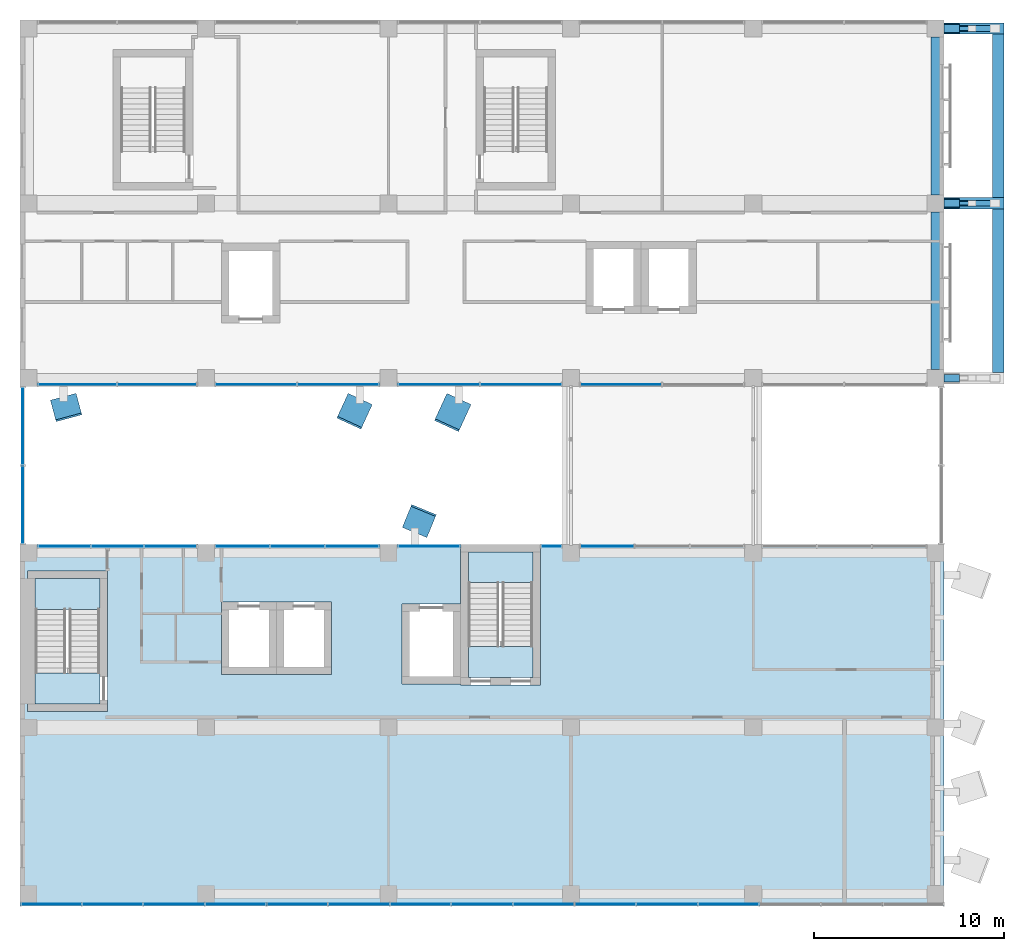
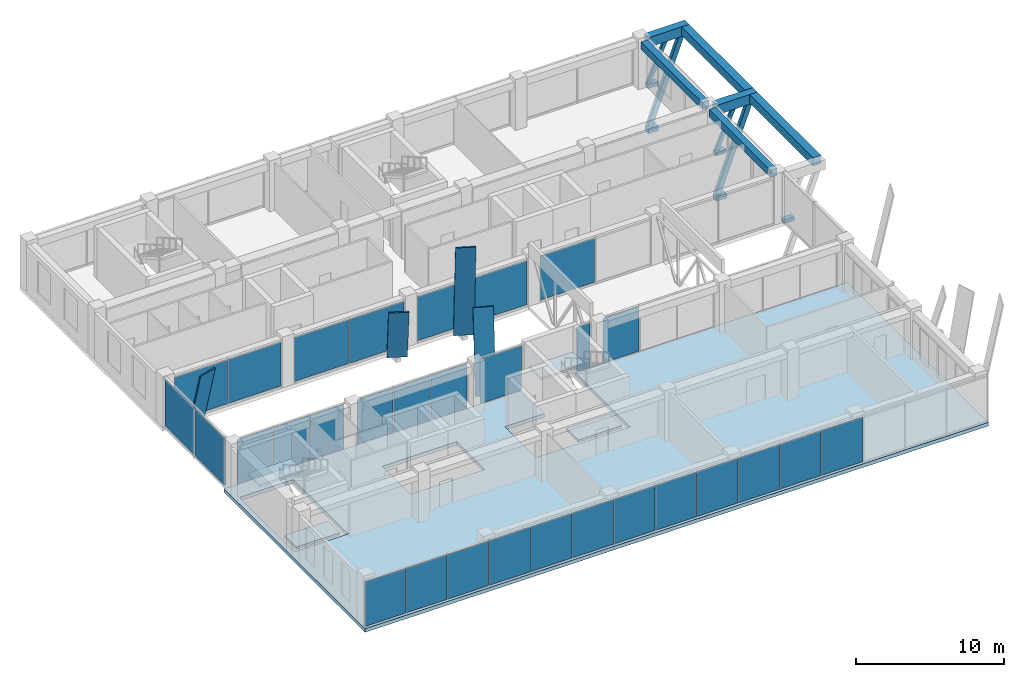
# One storey, part 26 of 38: 34 plates, 11 beams, 5 slabs, 4 members, 13 elements without a shape of their own.
"""IFC4 building model written with IfcOpenShell, lengths in metres."""

from ifc_helpers import new_model, si_unit, direction, frame, origin, origin_2d, place, context, subcontext, project, spatial, polyline, rectangle, hollow_rectangle, outline, extrude, material, layer, layer_set, material_profile, profile_set, type_object, element, aggregate, save


model = new_model("IFC4")

# Units and contexts
model_context = context("Model", 3, precision=1e-05, world=origin(), true_north=direction((0.0, 1.0)))
body_context = subcontext(model_context, "Body", "Model", "MODEL_VIEW")
ifc_project = project(units=[si_unit("LENGTHUNIT", "METRE"), si_unit("AREAUNIT", "SQUARE_METRE"), si_unit("VOLUMEUNIT", "CUBIC_METRE"), si_unit("PLANEANGLEUNIT", "RADIAN"), si_unit("MASSUNIT", "GRAM", prefix="KILO")], contexts=[model_context])

# Site, building, storey
site_placement = place(None, origin())
site = spatial("IfcSite", under=ifc_project, at=site_placement, CompositionType="ELEMENT")
building_placement = place(site_placement, origin())
building = spatial("IfcBuilding", under=site, at=building_placement, Name="Nzadi Deep Aquarium and Research Tower", CompositionType="ELEMENT")
storey_placement = place(building_placement, frame((0.0, 0.0, 48.699951171875)))
storey = spatial("IfcBuildingStorey", under=building, at=storey_placement, Name="L09", CompositionType="ELEMENT", Elevation=48.699951171875)

# Members
ifc_material_1 = material(Name="Steel S355", Category="steel")
ifc_material_profile_1 = material_profile(ifc_material_1, hollow_rectangle(XDim=0.199951171875, YDim=0.300048828125, WallThickness=0.011962890625, at=origin_2d()))
ifc_profile_set_1 = profile_set([ifc_material_profile_1], Name="Steel S355")
member_type_1 = type_object("IfcMemberType", Name="Arm knee strut RHS 300x200x12", PredefinedType="BRACE", material=ifc_profile_set_1)
for number, where, z_axis, x_axis, name in (
    (1, (48.587646484375, 36.800048828125, 0.0), (0.396258073649, 0.0, 0.918139171949), (0.0, 1.0, 0.0), "MB-Z1-BE-B2"),
    (2, (48.587646484375, 46.0, 0.0), (0.396258073649, 0.0, 0.918139171949), (0.0, 1.0, 0.0), "MB-Z1-BE-B3"),
):
    element("IfcMember", number, at=place(storey_placement, frame(where, z_axis=z_axis, x_axis=x_axis)), inside=storey, type_object=member_type_1, Name=name, PredefinedType="BRACE", context=body_context, shape_type="SweptSolid", body=[
        extrude(hollow_rectangle(XDim=0.199951171875, YDim=0.300048828125, WallThickness=0.011962890625, at=origin_2d()), origin(), (0.0, 0.0, 1.0), 3.3115234375),
    ])
ifc_material_2 = material(Name="Steel S355", Category="steel")
ifc_material_profile_2 = material_profile(ifc_material_2, hollow_rectangle(XDim=0.300048828125, YDim=0.39990234375, WallThickness=0.01611328125, at=origin_2d()))
ifc_profile_set_2 = profile_set([ifc_material_profile_2], Name="Steel S355")
member_type_2 = type_object("IfcMemberType", Name="Arm strut RHS 400x300x16", PredefinedType="BRACE", material=ifc_profile_set_2)
for number, where, z_axis, x_axis, name in (
    (3, (48.637451171875, 36.800048828125, -3.599853515625), (0.34817872971, 0.0, 0.937428169076), (0.0, 1.0, 0.0), "MB-Z1-BE-A2"),
    (4, (48.637451171875, 46.0, -3.599853515625), (0.34817872971, 0.0, 0.937428169076), (0.0, 1.0, 0.0), "MB-Z1-BE-A3"),
):
    element("IfcMember", number, at=place(storey_placement, frame(where, z_axis=z_axis, x_axis=x_axis)), inside=storey, type_object=member_type_2, Name=name, PredefinedType="BRACE", context=body_context, shape_type="SweptSolid", body=[
        extrude(hollow_rectangle(XDim=0.300048828125, YDim=0.39990234375, WallThickness=0.01611328125, at=origin_2d()), origin(), (0.0, 0.0, 1.0), 7.072998046875),
    ])

# Beams
ifc_material_3 = material(Name="Concrete C35/45", Category="concrete")
ifc_material_profile_3 = material_profile(ifc_material_3, rectangle(XDim=0.39990234375, YDim=0.300048828125, at=origin_2d()))
ifc_profile_set_3 = profile_set([ifc_material_profile_3], Name="Concrete C35/45")
beam_type_1 = type_object("IfcBeamType", Name="RC 400x300", PredefinedType="BEAM", material=ifc_profile_set_3)
for number, where, z_axis, x_axis, name in (
    (5, (48.449951171875, 27.60009765625, -0.20947265625), (1.0, 0.0, 0.0), (0.0, 1.0, 0.0), "Strut seat corbel"),
    (6, (48.449951171875, 36.800048828125, -0.20947265625), (1.0, 0.0, 0.0), (0.0, 1.0, 0.0), "Strut seat corbel"),
    (7, (48.449951171875, 46.0, -0.20947265625), (1.0, 0.0, 0.0), (0.0, 1.0, 0.0), "Strut seat corbel"),
):
    element("IfcBeam", number, at=place(storey_placement, frame(where, z_axis=z_axis, x_axis=x_axis)), inside=storey, type_object=beam_type_1, Name=name, PredefinedType="BEAM", context=body_context, shape_type="SweptSolid", body=[
        extrude(rectangle(XDim=0.39990234375, YDim=0.300048828125, at=origin_2d()), origin(), (0.0, 0.0, 1.0), 0.800048828125),
    ])
ifc_material_4 = material(Name="Concrete C35/45", Category="concrete")
ifc_material_profile_4 = material_profile(ifc_material_4, rectangle(XDim=0.5, YDim=0.39990234375, at=origin_2d()))
ifc_profile_set_4 = profile_set([ifc_material_profile_4], Name="Concrete C35/45")
beam_type_2 = type_object("IfcBeamType", Name="RC 500x400", PredefinedType="BEAM", material=ifc_profile_set_4)
for number, where, z_axis, x_axis, name in (
    (8, (48.449951171875, 36.800048828125, -3.86962890625), (1.0, 0.0, 0.0), (0.0, 1.0, 0.0), "Strut seat corbel"),
    (9, (48.449951171875, 46.0, -3.86962890625), (1.0, 0.0, 0.0), (0.0, 1.0, 0.0), "Strut seat corbel"),
):
    element("IfcBeam", number, at=place(storey_placement, frame(where, z_axis=z_axis, x_axis=x_axis)), inside=storey, type_object=beam_type_2, Name=name, PredefinedType="BEAM", context=body_context, shape_type="SweptSolid", body=[
        extrude(rectangle(XDim=0.5, YDim=0.39990234375, at=origin_2d()), origin(), (0.0, 0.0, 1.0), 0.800048828125),
    ])
ifc_material_5 = material(Name="Concrete C35/45", Category="concrete")
ifc_material_profile_5 = material_profile(ifc_material_5, rectangle(XDim=0.5, YDim=0.60009765625, at=origin_2d()))
ifc_profile_set_5 = profile_set([ifc_material_profile_5], Name="Concrete C35/45")
beam_type_3 = type_object("IfcBeamType", Name="RC 500x600", PredefinedType="BEAM", material=ifc_profile_set_5)
for number, where, z_axis, x_axis, name in (
    (10, (48.0, 28.050048828125, 3.60009765625), (0.0, 1.0, 0.0), (-1.0, 0.0, 0.0), "B-Z1-L09-CF-1-4"),
    (11, (48.0, 37.25, 3.60009765625), (0.0, 1.0, 0.0), (-1.0, 0.0, 0.0), "B-Z1-L09-CF-2-4"),
):
    element("IfcBeam", number, at=place(storey_placement, frame(where, z_axis=z_axis, x_axis=x_axis)), inside=storey, type_object=beam_type_3, Name=name, PredefinedType="BEAM", context=body_context, shape_type="SweptSolid", body=[
        extrude(rectangle(XDim=0.5, YDim=0.60009765625, at=origin_2d()), origin(), (0.0, 0.0, 1.0), 8.300048828125),
    ])
ifc_material_6 = material(Name="Concrete C35/45", Category="concrete")
ifc_material_profile_6 = material_profile(ifc_material_6, rectangle(XDim=0.60009765625, YDim=0.699951171875, at=origin_2d()))
ifc_profile_set_6 = profile_set([ifc_material_profile_6], Name="Concrete C35/45")
beam_type_4 = type_object("IfcBeamType", Name="RC 600x700", PredefinedType="BEAM", material=ifc_profile_set_6)
beam_1_placement = place(storey_placement, frame((51.300048828125, 27.89990234375, 3.550048828125), z_axis=(0.0, 1.0, 0.0), x_axis=(-1.0, 0.0, 0.0)))
element("IfcBeam", 12, at=beam_1_placement, inside=storey, type_object=beam_type_4, Name="B-Z1-L09-TIP1", PredefinedType="BEAM", context=body_context, shape_type="SweptSolid", body=[
    extrude(rectangle(XDim=0.60009765625, YDim=0.699951171875, at=origin_2d()), origin(), (0.0, 0.0, 1.0), 8.60009765625),
])
beam_2_placement = place(storey_placement, frame((51.300048828125, 37.10009765625, 3.550048828125), z_axis=(0.0, 1.0, 0.0), x_axis=(-1.0, 0.0, 0.0)))
element("IfcBeam", 13, at=beam_2_placement, inside=storey, type_object=beam_type_4, Name="B-Z1-L09-TIP2", PredefinedType="BEAM", context=body_context, shape_type="SweptSolid", body=[
    extrude(rectangle(XDim=0.60009765625, YDim=0.699951171875, at=origin_2d()), origin(), (0.0, 0.0, 1.0), 8.599853515625),
])
ifc_material_7 = material(Name="Concrete C35/45", Category="concrete")
ifc_material_profile_7 = material_profile(ifc_material_7, rectangle(XDim=0.60009765625, YDim=0.800048828125, at=origin_2d()))
ifc_profile_set_7 = profile_set([ifc_material_profile_7], Name="Concrete C35/45")
beam_type_5 = type_object("IfcBeamType", Name="RC 600x800", PredefinedType="BEAM", material=ifc_profile_set_7)
for number, where, z_axis, x_axis, name in (
    (14, (48.449951171875, 36.800048828125, 3.5), (1.0, 0.0, 0.0), (0.0, 1.0, 0.0), "B-Z1-L09-CANT5"),
    (15, (48.449951171875, 46.0, 3.5), (1.0, 0.0, 0.0), (0.0, 1.0, 0.0), "B-Z1-L09-CANT6"),
):
    element("IfcBeam", number, at=place(storey_placement, frame(where, z_axis=z_axis, x_axis=x_axis)), inside=storey, type_object=beam_type_5, Name=name, PredefinedType="BEAM", context=body_context, shape_type="SweptSolid", body=[
        extrude(rectangle(XDim=0.60009765625, YDim=0.800048828125, at=origin_2d()), origin(), (0.0, 0.0, 1.0), 3.150146484375),
    ])

# Plates
ifc_material_8 = material(Name="Anodised aluminium, bright", Category="aluminium")
ifc_material_profile_8 = material_profile(ifc_material_8, rectangle(XDim=1.39990234375, YDim=0.10009765625, at=origin_2d()))
ifc_profile_set_8 = profile_set([ifc_material_profile_8], Name="Anodised aluminium, bright")
plate_type_1 = type_object("IfcPlateType", Name="Fold blade anodised aluminium 1400x100, 4.8 m", PredefinedType="SHEET", material=ifc_profile_set_8)
plate_1_placement = place(storey_placement, frame((2.090087890625, 26.56884765625, 0.01123046875), z_axis=(0.057781447578, -0.215663149409, 0.974756744169), x_axis=(0.965931782, 0.258796817064, 0.0)))
element("IfcPlate", 16, at=plate_1_placement, inside=storey, type_object=plate_type_1, Name="FD040 fold blade SB L09", PredefinedType="SHEET", context=body_context, shape_type="SweptSolid", body=[
    extrude(rectangle(XDim=1.39990234375, YDim=0.10009765625, at=origin_2d()), origin(), (0.0, 0.0, 1.0), 4.7998046875),
])
plate_2_placement = place(storey_placement, frame((17.68994140625, 26.45751953125, 0.013916015625), z_axis=(-0.11586409201, -0.251920477492, 0.960786961403), x_axis=(0.908516914331, -0.417848078103, 0.0)))
element("IfcPlate", 17, at=plate_2_placement, inside=storey, type_object=plate_type_1, Name="FD041 fold blade SB L09", PredefinedType="SHEET", context=body_context, shape_type="SweptSolid", body=[
    extrude(rectangle(XDim=1.39990234375, YDim=0.10009765625, at=origin_2d()), origin(), (0.0, 0.0, 1.0), 4.800048828125),
])
ifc_material_9 = material(Name="Anodised aluminium, bright", Category="aluminium")
ifc_material_profile_9 = material_profile(ifc_material_9, rectangle(XDim=1.39990234375, YDim=0.10009765625, at=origin_2d()))
ifc_profile_set_9 = profile_set([ifc_material_profile_9], Name="Anodised aluminium, bright")
plate_type_2 = type_object("IfcPlateType", Name="Fold blade anodised aluminium 1400x100, 6.6 m", PredefinedType="SHEET", material=ifc_profile_set_9)
plate_3_placement = place(storey_placement, frame((20.590087890625, 19.5166015625, 0.009033203125), z_axis=(0.069431434965, 0.168529364785, 0.983248254025), x_axis=(-0.924606631977, 0.380923320505, 0.0)))
element("IfcPlate", 18, at=plate_3_placement, inside=storey, type_object=plate_type_2, Name="FD039 fold blade SA L09", PredefinedType="SHEET", context=body_context, shape_type="SweptSolid", body=[
    extrude(rectangle(XDim=1.39990234375, YDim=0.10009765625, at=origin_2d()), origin(), (0.0, 0.0, 1.0), 6.60009765625),
])
ifc_material_10 = material(Name="Anodised aluminium, bright", Category="aluminium")
ifc_material_profile_10 = material_profile(ifc_material_10, rectangle(XDim=1.39990234375, YDim=0.10009765625, at=origin_2d()))
ifc_profile_set_10 = profile_set([ifc_material_profile_10], Name="Anodised aluminium, bright")
plate_type_3 = type_object("IfcPlateType", Name="Fold blade anodised aluminium 1400x100, 8.4 m", PredefinedType="SHEET", material=ifc_profile_set_10)
plate_4_placement = place(storey_placement, frame((22.889892578125, 26.45751953125, 0.0087890625), z_axis=(-0.073271637684, -0.15933166116, 0.984502254372), x_axis=(0.90853575108, -0.417807119386, 0.0)))
element("IfcPlate", 19, at=plate_4_placement, inside=storey, type_object=plate_type_3, Name="FD042 fold blade SB L09", PredefinedType="SHEET", context=body_context, shape_type="SweptSolid", body=[
    extrude(rectangle(XDim=1.39990234375, YDim=0.10009765625, at=origin_2d()), origin(), (0.0, 0.0, 1.0), 8.39990234375),
])

# Curtain wall, plates
ifc_material_11 = material(Name="Aluminium unitised frame", Category="aluminium")
ifc_layer_1 = layer(ifc_material_11, 0.199951171875)
ifc_layer_set_1 = layer_set([ifc_layer_1], Name="Aluminium unitised frame")
curtain_wall_type_1 = type_object("IfcCurtainWallType", Name="Curtain wall Unitised 200", PredefinedType="NOTDEFINED", material=ifc_layer_set_1)
curtain_wall_1_placement = place(storey_placement, origin())
curtain_wall_1 = element("IfcCurtainWall", 20, at=curtain_wall_1_placement, inside=storey, type_object=curtain_wall_type_1, Name="Unitised curtain wall blade A south L09", PredefinedType="NOTDEFINED")
ifc_material_12 = material(Name="Glass, sage tint", Category="glass")
ifc_layer_2 = layer(ifc_material_12, 0.035888671875)
ifc_layer_set_2 = layer_set([ifc_layer_2], Name="Glass, sage tint")
plate_type_4 = type_object("IfcPlateType", Name="Glazing panel 36 Unitised", PredefinedType="CURTAIN_PANEL", material=ifc_layer_set_2)
plate_5_placement = place(storey_placement, frame((1.436767578125, -0.10009765625, 0.1201171875), z_axis=(0.0, 0.0, 1.0), x_axis=(1.0, 0.0, 0.0)))
plate_5 = element("IfcPlate", 21, at=plate_5_placement, type_object=plate_type_4, Name="CW029 panel 1.1", PredefinedType="CURTAIN_PANEL", context=body_context, shape_type="SweptSolid", body=[
    extrude(rectangle(XDim=3.1533203125, YDim=0.035888671875, at=origin_2d()), origin(), (0.0, 0.0, 1.0), 3.659912109375),
])
plate_6_placement = place(storey_placement, frame((4.6650390625, -0.10009765625, 0.1201171875), z_axis=(0.0, 0.0, 1.0), x_axis=(1.0, 0.0, 0.0)))
plate_6 = element("IfcPlate", 22, at=plate_6_placement, type_object=plate_type_4, Name="CW029 panel 2.1", PredefinedType="CURTAIN_PANEL", context=body_context, shape_type="SweptSolid", body=[
    extrude(rectangle(XDim=3.183349609375, YDim=0.035888671875, at=origin_2d()), origin(), (0.0, 0.0, 1.0), 3.659912109375),
])
plate_7_placement = place(storey_placement, frame((7.908447265625, -0.10009765625, 0.1201171875), z_axis=(0.0, 0.0, 1.0), x_axis=(1.0, 0.0, 0.0)))
plate_7 = element("IfcPlate", 23, at=plate_7_placement, type_object=plate_type_4, Name="CW029 panel 3.1", PredefinedType="CURTAIN_PANEL", context=body_context, shape_type="SweptSolid", body=[
    extrude(rectangle(XDim=3.183349609375, YDim=0.035888671875, at=origin_2d()), origin(), (0.0, 0.0, 1.0), 3.659912109375),
])
plate_8_placement = place(storey_placement, frame((11.151611328125, -0.10009765625, 0.1201171875), z_axis=(0.0, 0.0, 1.0), x_axis=(1.0, 0.0, 0.0)))
plate_8 = element("IfcPlate", 24, at=plate_8_placement, type_object=plate_type_4, Name="CW029 panel 4.1", PredefinedType="CURTAIN_PANEL", context=body_context, shape_type="SweptSolid", body=[
    extrude(rectangle(XDim=3.183349609375, YDim=0.035888671875, at=origin_2d()), origin(), (0.0, 0.0, 1.0), 3.659912109375),
])
plate_9_placement = place(storey_placement, frame((14.39501953125, -0.10009765625, 0.1201171875), z_axis=(0.0, 0.0, 1.0), x_axis=(1.0, 0.0, 0.0)))
plate_9 = element("IfcPlate", 25, at=plate_9_placement, type_object=plate_type_4, Name="CW029 panel 5.1", PredefinedType="CURTAIN_PANEL", context=body_context, shape_type="SweptSolid", body=[
    extrude(rectangle(XDim=3.183349609375, YDim=0.035888671875, at=origin_2d()), origin(), (0.0, 0.0, 1.0), 3.659912109375),
])
plate_10_placement = place(storey_placement, frame((17.638427734375, -0.10009765625, 0.1201171875), z_axis=(0.0, 0.0, 1.0), x_axis=(1.0, 0.0, 0.0)))
plate_10 = element("IfcPlate", 26, at=plate_10_placement, type_object=plate_type_4, Name="CW029 panel 6.1", PredefinedType="CURTAIN_PANEL", context=body_context, shape_type="SweptSolid", body=[
    extrude(rectangle(XDim=3.183349609375, YDim=0.035888671875, at=origin_2d()), origin(), (0.0, 0.0, 1.0), 3.659912109375),
])
plate_11_placement = place(storey_placement, frame((20.881591796875, -0.10009765625, 0.1201171875), z_axis=(0.0, 0.0, 1.0), x_axis=(1.0, 0.0, 0.0)))
plate_11 = element("IfcPlate", 27, at=plate_11_placement, type_object=plate_type_4, Name="CW029 panel 7.1", PredefinedType="CURTAIN_PANEL", context=body_context, shape_type="SweptSolid", body=[
    extrude(rectangle(XDim=3.183349609375, YDim=0.035888671875, at=origin_2d()), origin(), (0.0, 0.0, 1.0), 3.659912109375),
])
plate_12_placement = place(storey_placement, frame((24.125, -0.10009765625, 0.1201171875), z_axis=(0.0, 0.0, 1.0), x_axis=(1.0, 0.0, 0.0)))
plate_12 = element("IfcPlate", 28, at=plate_12_placement, type_object=plate_type_4, Name="CW029 panel 8.1", PredefinedType="CURTAIN_PANEL", context=body_context, shape_type="SweptSolid", body=[
    extrude(rectangle(XDim=3.183349609375, YDim=0.035888671875, at=origin_2d()), origin(), (0.0, 0.0, 1.0), 3.659912109375),
])
plate_13_placement = place(storey_placement, frame((27.368408203125, -0.10009765625, 0.1201171875), z_axis=(0.0, 0.0, 1.0), x_axis=(1.0, 0.0, 0.0)))
plate_13 = element("IfcPlate", 29, at=plate_13_placement, type_object=plate_type_4, Name="CW029 panel 9.1", PredefinedType="CURTAIN_PANEL", context=body_context, shape_type="SweptSolid", body=[
    extrude(rectangle(XDim=3.183349609375, YDim=0.035888671875, at=origin_2d()), origin(), (0.0, 0.0, 1.0), 3.659912109375),
])
plate_14_placement = place(storey_placement, frame((30.611572265625, -0.10009765625, 0.1201171875), z_axis=(0.0, 0.0, 1.0), x_axis=(1.0, 0.0, 0.0)))
plate_14 = element("IfcPlate", 30, at=plate_14_placement, type_object=plate_type_4, Name="CW029 panel 10.1", PredefinedType="CURTAIN_PANEL", context=body_context, shape_type="SweptSolid", body=[
    extrude(rectangle(XDim=3.183349609375, YDim=0.035888671875, at=origin_2d()), origin(), (0.0, 0.0, 1.0), 3.659912109375),
])
plate_15_placement = place(storey_placement, frame((33.85498046875, -0.10009765625, 0.1201171875), z_axis=(0.0, 0.0, 1.0), x_axis=(1.0, 0.0, 0.0)))
plate_15 = element("IfcPlate", 31, at=plate_15_placement, type_object=plate_type_4, Name="CW029 panel 11.1", PredefinedType="CURTAIN_PANEL", context=body_context, shape_type="SweptSolid", body=[
    extrude(rectangle(XDim=3.183349609375, YDim=0.035888671875, at=origin_2d()), origin(), (0.0, 0.0, 1.0), 3.659912109375),
])
plate_16_placement = place(storey_placement, frame((37.098388671875, -0.10009765625, 0.1201171875), z_axis=(0.0, 0.0, 1.0), x_axis=(1.0, 0.0, 0.0)))
plate_16 = element("IfcPlate", 32, at=plate_16_placement, type_object=plate_type_4, Name="CW029 panel 12.1", PredefinedType="CURTAIN_PANEL", context=body_context, shape_type="SweptSolid", body=[
    extrude(rectangle(XDim=3.183349609375, YDim=0.035888671875, at=origin_2d()), origin(), (0.0, 0.0, 1.0), 3.659912109375),
])
aggregate(curtain_wall_1, [plate_5, plate_6, plate_7, plate_8, plate_9, plate_10, plate_11, plate_12, plate_13, plate_14, plate_15, plate_16])

curtain_wall_2_placement = place(storey_placement, origin())
curtain_wall_2 = element("IfcCurtainWall", 33, at=curtain_wall_2_placement, inside=storey, type_object=curtain_wall_type_1, Name="Unitised curtain wall blade A north L09", PredefinedType="NOTDEFINED")
plate_17_placement = place(storey_placement, frame((2.123291015625, 18.75, 0.1201171875), z_axis=(0.0, 0.0, 1.0), x_axis=(1.0, 0.0, 0.0)))
plate_17 = element("IfcPlate", 34, at=plate_17_placement, type_object=plate_type_4, Name="CW030 panel 1.1", PredefinedType="CURTAIN_PANEL", context=body_context, shape_type="SweptSolid", body=[
    extrude(rectangle(XDim=2.7265625, YDim=0.035888671875, at=origin_2d()), origin(), (0.0, 0.0, 1.0), 3.659912109375),
])
plate_18_placement = place(storey_placement, frame((4.925048828125, 18.75, 0.1201171875), z_axis=(0.0, 0.0, 1.0), x_axis=(1.0, 0.0, 0.0)))
plate_18 = element("IfcPlate", 35, at=plate_18_placement, type_object=plate_type_4, Name="CW030 panel 2.1", PredefinedType="CURTAIN_PANEL", context=body_context, shape_type="SweptSolid", body=[
    extrude(rectangle(XDim=2.756591796875, YDim=0.035888671875, at=origin_2d()), origin(), (0.0, 0.0, 1.0), 3.659912109375),
])
plate_19_placement = place(storey_placement, frame((7.7265625, 18.75, 0.1201171875), z_axis=(0.0, 0.0, 1.0), x_axis=(1.0, 0.0, 0.0)))
plate_19 = element("IfcPlate", 36, at=plate_19_placement, type_object=plate_type_4, Name="CW030 panel 3.1", PredefinedType="CURTAIN_PANEL", context=body_context, shape_type="SweptSolid", body=[
    extrude(rectangle(XDim=2.7265625, YDim=0.035888671875, at=origin_2d()), origin(), (0.0, 0.0, 1.0), 3.659912109375),
])
aggregate(curtain_wall_2, [plate_17, plate_18, plate_19])

curtain_wall_3_placement = place(storey_placement, origin())
curtain_wall_3 = element("IfcCurtainWall", 37, at=curtain_wall_3_placement, inside=storey, type_object=curtain_wall_type_1, Name="Unitised curtain wall blade A north L09", PredefinedType="NOTDEFINED")
plate_20_placement = place(storey_placement, frame((11.514892578125, 18.75, 0.1201171875), z_axis=(0.0, 0.0, 1.0), x_axis=(1.0, 0.0, 0.0)))
plate_20 = element("IfcPlate", 38, at=plate_20_placement, type_object=plate_type_4, Name="CW031 panel 1.1", PredefinedType="CURTAIN_PANEL", context=body_context, shape_type="SweptSolid", body=[
    extrude(rectangle(XDim=2.81005859375, YDim=0.035888671875, at=origin_2d()), origin(), (0.0, 0.0, 1.0), 3.659912109375),
])
plate_21_placement = place(storey_placement, frame((14.39990234375, 18.75, 0.1201171875), z_axis=(0.0, 0.0, 1.0), x_axis=(1.0, 0.0, 0.0)))
plate_21 = element("IfcPlate", 39, at=plate_21_placement, type_object=plate_type_4, Name="CW031 panel 2.1", PredefinedType="CURTAIN_PANEL", context=body_context, shape_type="SweptSolid", body=[
    extrude(rectangle(XDim=2.840087890625, YDim=0.035888671875, at=origin_2d()), origin(), (0.0, 0.0, 1.0), 3.659912109375),
])
plate_22_placement = place(storey_placement, frame((17.284912109375, 18.75, 0.1201171875), z_axis=(0.0, 0.0, 1.0), x_axis=(1.0, 0.0, 0.0)))
plate_22 = element("IfcPlate", 40, at=plate_22_placement, type_object=plate_type_4, Name="CW031 panel 3.1", PredefinedType="CURTAIN_PANEL", context=body_context, shape_type="SweptSolid", body=[
    extrude(rectangle(XDim=2.81005859375, YDim=0.035888671875, at=origin_2d()), origin(), (0.0, 0.0, 1.0), 3.659912109375),
])
aggregate(curtain_wall_3, [plate_20, plate_21, plate_22])

# Curtain wall, plate
curtain_wall_4_placement = place(storey_placement, origin())
curtain_wall_4 = element("IfcCurtainWall", 41, at=curtain_wall_4_placement, inside=storey, type_object=curtain_wall_type_1, Name="Unitised curtain wall blade A north L09", PredefinedType="NOTDEFINED")
plate_23_placement = place(storey_placement, frame((21.324951171875, 18.75, 0.1201171875), z_axis=(0.0, 0.0, 1.0), x_axis=(1.0, 0.0, 0.0)))
plate_23 = element("IfcPlate", 42, at=plate_23_placement, type_object=plate_type_4, Name="CW032 panel 1.1", PredefinedType="CURTAIN_PANEL", context=body_context, shape_type="SweptSolid", body=[
    extrude(rectangle(XDim=3.22998046875, YDim=0.035888671875, at=origin_2d()), origin(), (0.0, 0.0, 1.0), 3.659912109375),
])
aggregate(curtain_wall_4, [plate_23])

curtain_wall_5_placement = place(storey_placement, origin())
curtain_wall_5 = element("IfcCurtainWall", 43, at=curtain_wall_5_placement, inside=storey, type_object=curtain_wall_type_1, Name="Unitised curtain wall blade A north L09", PredefinedType="NOTDEFINED")
plate_24_placement = place(storey_placement, frame((27.77490234375, 18.75, 0.1201171875), z_axis=(0.0, 0.0, 1.0), x_axis=(1.0, 0.0, 0.0)))
plate_24 = element("IfcPlate", 44, at=plate_24_placement, type_object=plate_type_4, Name="CW033 panel 1.1", PredefinedType="CURTAIN_PANEL", context=body_context, shape_type="SweptSolid", body=[
    extrude(rectangle(XDim=1.030029296875, YDim=0.035888671875, at=origin_2d()), origin(), (0.0, 0.0, 1.0), 3.659912109375),
])
aggregate(curtain_wall_5, [plate_24])

curtain_wall_6_placement = place(storey_placement, origin())
curtain_wall_6 = element("IfcCurtainWall", 45, at=curtain_wall_6_placement, inside=storey, type_object=curtain_wall_type_1, Name="Unitised curtain wall blade A north L09", PredefinedType="NOTDEFINED")
plate_25_placement = place(storey_placement, frame((30.715087890625, 18.75, 0.1201171875), z_axis=(0.0, 0.0, 1.0), x_axis=(1.0, 0.0, 0.0)))
plate_25 = element("IfcPlate", 46, at=plate_25_placement, type_object=plate_type_4, Name="CW034 panel 1.1", PredefinedType="CURTAIN_PANEL", context=body_context, shape_type="SweptSolid", body=[
    extrude(rectangle(XDim=2.81005859375, YDim=0.035888671875, at=origin_2d()), origin(), (0.0, 0.0, 1.0), 3.659912109375),
])
aggregate(curtain_wall_6, [plate_25])

# Curtain wall, plates
ifc_material_13 = material(Name="Aluminium unitised frame deep", Category="aluminium")
ifc_layer_3 = layer(ifc_material_13, 0.22509765625)
ifc_layer_set_3 = layer_set([ifc_layer_3], Name="Aluminium unitised frame deep")
curtain_wall_type_2 = type_object("IfcCurtainWallType", Name="Curtain wall Unitised Deep 225", PredefinedType="NOTDEFINED", material=ifc_layer_set_3)
curtain_wall_7_placement = place(storey_placement, origin())
curtain_wall_7 = element("IfcCurtainWall", 47, at=curtain_wall_7_placement, inside=storey, type_object=curtain_wall_type_2, Name="Unitised curtain wall blade B south L09", PredefinedType="NOTDEFINED")
ifc_material_14 = material(Name="Glass, sage tint", Category="glass")
ifc_layer_4 = layer(ifc_material_14, 0.0400390625)
ifc_layer_set_4 = layer_set([ifc_layer_4], Name="Glass, sage tint")
plate_type_5 = type_object("IfcPlateType", Name="Glazing panel 40 Unitised Deep", PredefinedType="CURTAIN_PANEL", material=ifc_layer_set_4)
plate_26_placement = place(storey_placement, frame((2.827392578125, 27.262451171875, 0.139892578125), z_axis=(0.0, 0.0, 1.0), x_axis=(1.0, 0.0, 0.0)))
plate_26 = element("IfcPlate", 48, at=plate_26_placement, type_object=plate_type_5, Name="CW118 panel 1.1", PredefinedType="CURTAIN_PANEL", context=body_context, shape_type="SweptSolid", body=[
    extrude(rectangle(XDim=4.135009765625, YDim=0.0400390625, at=origin_2d()), origin(), (0.0, 0.0, 1.0), 3.6201171875),
])
plate_27_placement = place(storey_placement, frame((7.0224609375, 27.262451171875, 0.139892578125), z_axis=(0.0, 0.0, 1.0), x_axis=(1.0, 0.0, 0.0)))
plate_27 = element("IfcPlate", 49, at=plate_27_placement, type_object=plate_type_5, Name="CW118 panel 2.1", PredefinedType="CURTAIN_PANEL", context=body_context, shape_type="SweptSolid", body=[
    extrude(rectangle(XDim=4.135009765625, YDim=0.0400390625, at=origin_2d()), origin(), (0.0, 0.0, 1.0), 3.6201171875),
])
aggregate(curtain_wall_7, [plate_26, plate_27])

curtain_wall_8_placement = place(storey_placement, origin())
curtain_wall_8 = element("IfcCurtainWall", 50, at=curtain_wall_8_placement, inside=storey, type_object=curtain_wall_type_2, Name="Unitised curtain wall blade B south L09", PredefinedType="NOTDEFINED")
plate_28_placement = place(storey_placement, frame((12.239990234375, 27.262451171875, 0.139892578125), z_axis=(0.0, 0.0, 1.0), x_axis=(1.0, 0.0, 0.0)))
plate_28 = element("IfcPlate", 51, at=plate_28_placement, type_object=plate_type_5, Name="CW119 panel 1.1", PredefinedType="CURTAIN_PANEL", context=body_context, shape_type="SweptSolid", body=[
    extrude(rectangle(XDim=4.260009765625, YDim=0.0400390625, at=origin_2d()), origin(), (0.0, 0.0, 1.0), 3.6201171875),
])
plate_29_placement = place(storey_placement, frame((16.56005859375, 27.262451171875, 0.139892578125), z_axis=(0.0, 0.0, 1.0), x_axis=(1.0, 0.0, 0.0)))
plate_29 = element("IfcPlate", 52, at=plate_29_placement, type_object=plate_type_5, Name="CW119 panel 2.1", PredefinedType="CURTAIN_PANEL", context=body_context, shape_type="SweptSolid", body=[
    extrude(rectangle(XDim=4.260009765625, YDim=0.0400390625, at=origin_2d()), origin(), (0.0, 0.0, 1.0), 3.6201171875),
])
aggregate(curtain_wall_8, [plate_28, plate_29])

curtain_wall_9_placement = place(storey_placement, origin())
curtain_wall_9 = element("IfcCurtainWall", 53, at=curtain_wall_9_placement, inside=storey, type_object=curtain_wall_type_2, Name="Unitised curtain wall blade B south L09", PredefinedType="NOTDEFINED")
plate_30_placement = place(storey_placement, frame((21.840087890625, 27.262451171875, 0.139892578125), z_axis=(0.0, 0.0, 1.0), x_axis=(1.0, 0.0, 0.0)))
plate_30 = element("IfcPlate", 54, at=plate_30_placement, type_object=plate_type_5, Name="CW120 panel 1.1", PredefinedType="CURTAIN_PANEL", context=body_context, shape_type="SweptSolid", body=[
    extrude(rectangle(XDim=4.260009765625, YDim=0.0400390625, at=origin_2d()), origin(), (0.0, 0.0, 1.0), 3.6201171875),
])
plate_31_placement = place(storey_placement, frame((26.159912109375, 27.262451171875, 0.139892578125), z_axis=(0.0, 0.0, 1.0), x_axis=(1.0, 0.0, 0.0)))
plate_31 = element("IfcPlate", 55, at=plate_31_placement, type_object=plate_type_5, Name="CW120 panel 2.1", PredefinedType="CURTAIN_PANEL", context=body_context, shape_type="SweptSolid", body=[
    extrude(rectangle(XDim=4.260009765625, YDim=0.0400390625, at=origin_2d()), origin(), (0.0, 0.0, 1.0), 3.6201171875),
])
aggregate(curtain_wall_9, [plate_30, plate_31])

# Curtain wall, plate
curtain_wall_10_placement = place(storey_placement, origin())
curtain_wall_10 = element("IfcCurtainWall", 56, at=curtain_wall_10_placement, inside=storey, type_object=curtain_wall_type_2, Name="Unitised curtain wall blade B south L09", PredefinedType="NOTDEFINED")
plate_32_placement = place(storey_placement, frame((31.43994140625, 27.262451171875, 0.139892578125), z_axis=(0.0, 0.0, 1.0), x_axis=(1.0, 0.0, 0.0)))
plate_32 = element("IfcPlate", 57, at=plate_32_placement, type_object=plate_type_5, Name="CW121 panel 1.1", PredefinedType="CURTAIN_PANEL", context=body_context, shape_type="SweptSolid", body=[
    extrude(rectangle(XDim=4.260009765625, YDim=0.0400390625, at=origin_2d()), origin(), (0.0, 0.0, 1.0), 3.6201171875),
])
aggregate(curtain_wall_10, [plate_32])

# Curtain wall, plates
ifc_material_15 = material(Name="Aluminium unitised frame wind post", Category="aluminium")
ifc_layer_5 = layer(ifc_material_15, 0.300048828125)
ifc_layer_set_5 = layer_set([ifc_layer_5], Name="Aluminium unitised frame wind post")
curtain_wall_type_3 = type_object("IfcCurtainWallType", Name="Curtain wall Slot End 300", PredefinedType="NOTDEFINED", material=ifc_layer_set_5)
curtain_wall_11_placement = place(storey_placement, origin())
curtain_wall_11 = element("IfcCurtainWall", 58, at=curtain_wall_11_placement, inside=storey, type_object=curtain_wall_type_3, Name="Glazed slot end west L09", PredefinedType="NOTDEFINED")
ifc_material_16 = material(Name="Glass, sage tint", Category="glass")
ifc_layer_6 = layer(ifc_material_16, 0.0439453125)
ifc_layer_set_6 = layer_set([ifc_layer_6], Name="Glass, sage tint")
plate_type_6 = type_object("IfcPlateType", Name="Glazing panel 44 Slot End", PredefinedType="CURTAIN_PANEL", material=ifc_layer_set_6)
plate_33_placement = place(storey_placement, frame((-0.050048828125, 20.93994140625, 0.16015625), z_axis=(0.0, 0.0, 1.0), x_axis=(0.0, 1.0, 0.0)))
plate_33 = element("IfcPlate", 59, at=plate_33_placement, type_object=plate_type_6, Name="CW209 panel 1.1", PredefinedType="CURTAIN_PANEL", context=body_context, shape_type="SweptSolid", body=[
    extrude(rectangle(XDim=4.06005859375, YDim=0.0439453125, at=origin_2d()), origin(), (0.0, 0.0, 1.0), 3.8798828125),
])
plate_34_placement = place(storey_placement, frame((-0.050048828125, 25.06005859375, 0.16015625), z_axis=(0.0, 0.0, 1.0), x_axis=(0.0, 1.0, 0.0)))
plate_34 = element("IfcPlate", 60, at=plate_34_placement, type_object=plate_type_6, Name="CW209 panel 2.1", PredefinedType="CURTAIN_PANEL", context=body_context, shape_type="SweptSolid", body=[
    extrude(rectangle(XDim=4.06005859375, YDim=0.0439453125, at=origin_2d()), origin(), (0.0, 0.0, 1.0), 3.8798828125),
])
aggregate(curtain_wall_11, [plate_33, plate_34])

# Stair, slabs
ifc_material_17 = material(Name="Concrete C35/45", Category="concrete")
stair_type = type_object("IfcStairType", Name="STAIR RETURN 3000", PredefinedType="NOTDEFINED", material=ifc_material_17)
stair_1_placement = place(storey_placement, origin())
stair_1 = element("IfcStair", 61, at=stair_1_placement, inside=storey, type_object=stair_type, Name="Stair ST-Z1-SW L09", PredefinedType="HALF_TURN_STAIR")
ifc_material_18 = material(Name="Concrete C35/45", Category="concrete")
ifc_layer_7 = layer(ifc_material_18, 0.199951171875)
ifc_layer_set_7 = layer_set([ifc_layer_7], Name="Concrete C35/45")
slab_type_1 = type_object("IfcSlabType", Name="LANDING 200", PredefinedType="LANDING", material=ifc_layer_set_7)
slab_1_placement = place(storey_placement, frame((0.0, 0.0, -0.199951171875)))
slab_1 = element("IfcSlab", 62, at=slab_1_placement, type_object=slab_type_1, Name="ST-Z1-SW landing 1", PredefinedType="LANDING", context=body_context, shape_type="SweptSolid", body=[
    extrude(outline(polyline([(0.60009765625, 10.449951171875), (4.0, 10.449951171875), (4.0, 12.070068359375), (0.60009765625, 12.070068359375), (0.60009765625, 10.449951171875)])), origin(), (0.0, 0.0, 1.0), 0.199951171875),
])
slab_2_placement = place(storey_placement, frame((0.0, 0.0, 1.900146484375)))
slab_2 = element("IfcSlab", 63, at=slab_2_placement, type_object=slab_type_1, Name="ST-Z1-SW landing 2", PredefinedType="LANDING", context=body_context, shape_type="SweptSolid", body=[
    extrude(outline(polyline([(0.60009765625, 15.429931640625), (4.0, 15.429931640625), (4.0, 17.050048828125), (0.60009765625, 17.050048828125), (0.60009765625, 15.429931640625)])), origin(), (0.0, 0.0, 1.0), 0.199951171875),
])
aggregate(stair_1, [slab_1, slab_2])

stair_2_placement = place(storey_placement, origin())
stair_2 = element("IfcStair", 64, at=stair_2_placement, inside=storey, type_object=stair_type, Name="Stair ST-Z1-SE L09", PredefinedType="HALF_TURN_STAIR")
slab_3_placement = place(storey_placement, frame((0.0, 0.0, -0.199951171875)))
slab_3 = element("IfcSlab", 65, at=slab_3_placement, type_object=slab_type_1, Name="ST-Z1-SE landing 1", PredefinedType="LANDING", context=body_context, shape_type="SweptSolid", body=[
    extrude(outline(polyline([(23.39990234375, 11.85009765625), (26.800048828125, 11.85009765625), (26.800048828125, 13.469970703125), (23.39990234375, 13.469970703125), (23.39990234375, 11.85009765625)])), origin(), (0.0, 0.0, 1.0), 0.199951171875),
])
slab_4_placement = place(storey_placement, frame((0.0, 0.0, 1.900146484375)))
slab_4 = element("IfcSlab", 66, at=slab_4_placement, type_object=slab_type_1, Name="ST-Z1-SE landing 2", PredefinedType="LANDING", context=body_context, shape_type="SweptSolid", body=[
    extrude(outline(polyline([(23.39990234375, 16.830078125), (26.800048828125, 16.830078125), (26.800048828125, 18.449951171875), (23.39990234375, 18.449951171875), (23.39990234375, 16.830078125)])), origin(), (0.0, 0.0, 1.0), 0.199951171875),
])
aggregate(stair_2, [slab_3, slab_4])

# Slab
ifc_material_19 = material(Name="Concrete C35/45", Category="concrete")
ifc_layer_8 = layer(ifc_material_19, 0.300048828125)
ifc_layer_set_8 = layer_set([ifc_layer_8], Name="Concrete C35/45")
slab_type_2 = type_object("IfcSlabType", Name="RC floor slab 300", PredefinedType="FLOOR", material=ifc_layer_set_8)
slab_5_placement = place(storey_placement, frame((0.0, 0.0, -0.300048828125)))
element("IfcSlab", 67, at=slab_5_placement, inside=storey, type_object=slab_type_2, Name="Tower floor A L09", PredefinedType="FLOOR", context=body_context, shape_type="SweptSolid", body=[
    extrude(outline(polyline([(27.199951171875, 11.449951171875), (23.0, 11.449951171875), (23.0, 11.5), (19.89990234375, 11.5), (19.89990234375, 15.699951171875), (23.0, 15.699951171875), (23.0, 18.85009765625), (-0.199462890625, 18.85009765625), (-0.199462890625, -0.199951171875), (48.449951171875, -0.199951171875), (48.449951171875, 18.85009765625), (27.199951171875, 18.85009765625), (27.199951171875, 11.449951171875)]), holes=[polyline([(4.39990234375, 17.449951171875), (4.39990234375, 10.050048828125), (0.199951171875, 10.050048828125), (0.199951171875, 17.449951171875), (4.39990234375, 17.449951171875)]), polyline([(10.39990234375, 12.0), (10.39990234375, 15.800048828125), (13.300048828125, 15.800048828125), (16.199951171875, 15.800048828125), (16.199951171875, 12.0), (13.300048828125, 12.0), (10.39990234375, 12.0)])]), origin(), (0.0, 0.0, 1.0), 0.300048828125),
])

save(model, "model.ifc")
